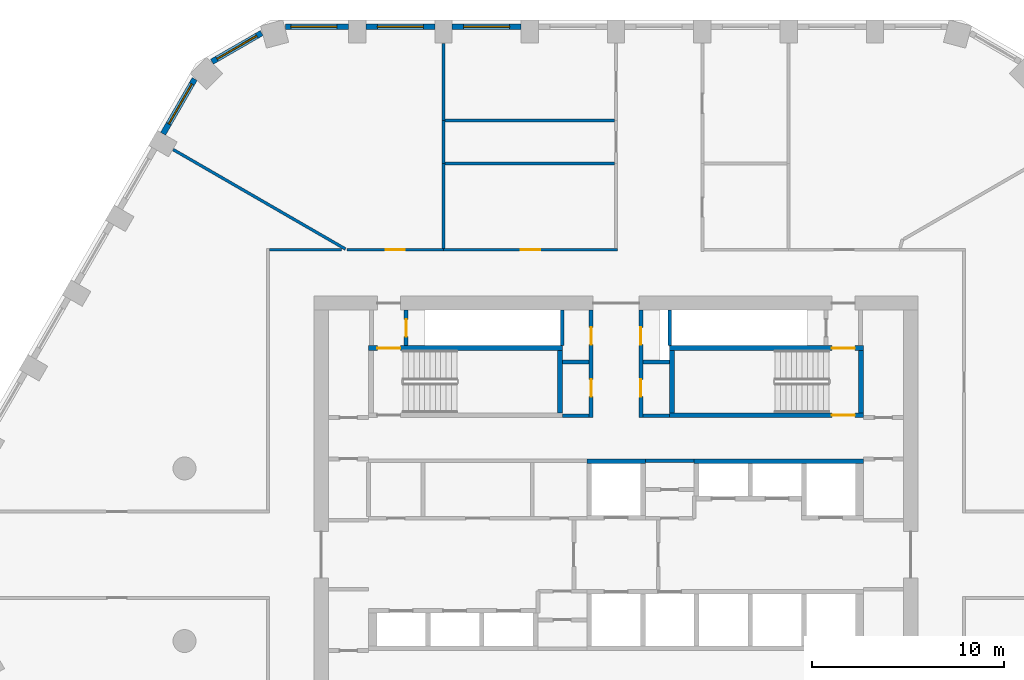
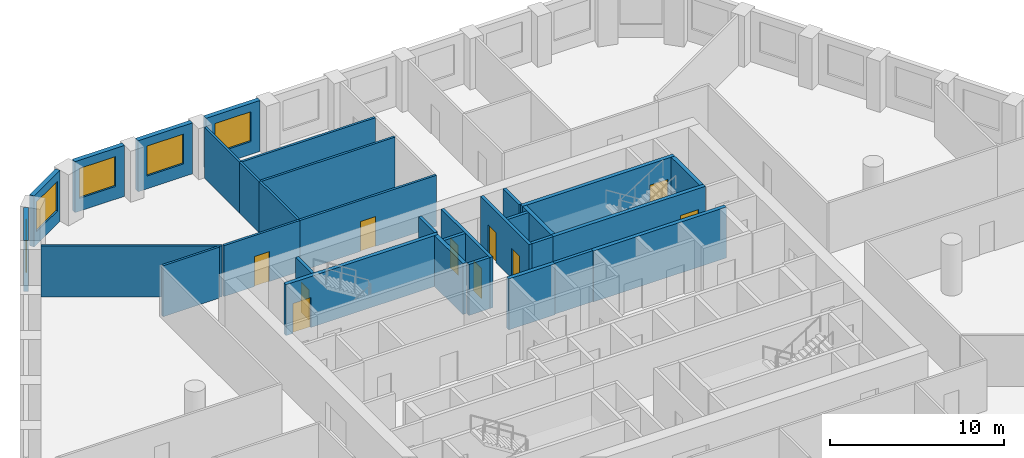
# One storey, part 6 of 9: 32 walls, 10 doors, 5 windows, 15 openings.
"""IFC4 building model written with IfcOpenShell, lengths in metres."""

from ifc_helpers import new_model, si_unit, direction, frame, frame_2d, origin, place, context, subcontext, project, spatial, polyline, rectangle, outline, extrude, material, layer, layer_set, type_object, element, fill, save


model = new_model("IFC4")

# Units and contexts
model_context = context("Model", 3, precision=1e-05, world=origin(), true_north=direction((0.0, 1.0)))
body_context = subcontext(model_context, "Body", "Model", "MODEL_VIEW")
ifc_project = project(units=[si_unit("LENGTHUNIT", "METRE"), si_unit("AREAUNIT", "SQUARE_METRE"), si_unit("VOLUMEUNIT", "CUBIC_METRE"), si_unit("PLANEANGLEUNIT", "RADIAN"), si_unit("MASSUNIT", "GRAM", prefix="KILO")], contexts=[model_context])

# Site, building, storey
site_placement = place(None, origin())
site = spatial("IfcSite", under=ifc_project, at=site_placement, CompositionType="ELEMENT")
building_placement = place(site_placement, origin())
building = spatial("IfcBuilding", under=site, at=building_placement, Name="Dhurran Vertical Campus", CompositionType="ELEMENT")
storey_placement = place(building_placement, frame((0.0, 0.0, 159.89990234375)))
storey = spatial("IfcBuildingStorey", under=building, at=storey_placement, Name="L39", CompositionType="ELEMENT", Elevation=159.89990234375)

# Wall, opening, window
ifc_material_1 = material(Name="Precast concrete C50/60", Category="concrete")
ifc_layer_1 = layer(ifc_material_1, 0.300048828125)
ifc_layer_set_1 = layer_set([ifc_layer_1], Name="Precast concrete C50/60")
wall_type_1 = type_object("IfcWallType", Name="Precast spandrel wall 300", PredefinedType="SOLIDWALL", material=ifc_layer_set_1)
wall_1_placement = place(storey_placement, frame((-4.950439453125, 27.53271484375, 0.0), z_axis=(0.0, 0.0, 1.0), x_axis=(-1.0, 0.0, 0.0)))
wall_1 = element("IfcWall", 1, at=wall_1_placement, inside=storey, type_object=wall_type_1, Name="EW1 L39.28", PredefinedType="SOLIDWALL", context=body_context, shape_type="SweptSolid", body=[
    extrude(rectangle(XDim=3.59912109375, YDim=0.300048828125, at=frame_2d((1.799560546875, 0.0))), origin(), (0.0, 0.0, 1.0), 3.5751953125),
])
opening_1_placement = place(wall_1_placement, frame((0.599609375, 0.0, 0.89990234375)))
opening_1 = element("IfcOpeningElement", 2, at=opening_1_placement, cuts=wall_1, Name="Opening WT1", PredefinedType="OPENING", context=body_context, shape_type="SweptSolid", body=[
    extrude(rectangle(XDim=2.39990234375, YDim=2.10009765625, at=frame_2d((1.199951171875, 1.050048828125))), frame((0.0, 0.159912109375, 0.0), z_axis=(0.0, -1.0, 0.0), x_axis=(1.0, 0.0, 0.0)), (0.0, 0.0, 1.0), 0.320068359375),
])
ifc_material_2 = material(Name="Aluminium frame with solar-control glass", Category="aluminium")
window_type = type_object("IfcWindowType", Name="Punched window 2400 x 2100", PartitioningType="SINGLE_PANEL", PredefinedType="WINDOW", material=ifc_material_2)
window_1_placement = place(opening_1_placement, origin())
window_1 = element("IfcWindow", 3, at=window_1_placement, inside=storey, type_object=window_type, Name="WT1 L39.28", OverallHeight=2.10009765625, OverallWidth=2.39990234375, PartitioningType="SINGLE_PANEL", PredefinedType="WINDOW", context=body_context, shape_type="SweptSolid", body=[
    extrude(rectangle(XDim=2.39990234375, YDim=2.10009765625, at=frame_2d((1.199951171875, 1.050048828125))), frame((0.0, 0.030029296875, 0.0), z_axis=(0.0, -1.0, 0.0), x_axis=(1.0, 0.0, 0.0)), (0.0, 0.0, 1.0), 0.06005859375),
])
fill(opening_1, window_1)

wall_2_placement = place(storey_placement, frame((-9.450439453125, 27.53271484375, 0.0), z_axis=(0.0, 0.0, 1.0), x_axis=(-1.0, 0.0, 0.0)))
wall_2 = element("IfcWall", 4, at=wall_2_placement, inside=storey, type_object=wall_type_1, Name="EW1 L39.29", PredefinedType="SOLIDWALL", context=body_context, shape_type="SweptSolid", body=[
    extrude(rectangle(XDim=3.59912109375, YDim=0.300048828125, at=frame_2d((1.799560546875, 0.0))), origin(), (0.0, 0.0, 1.0), 3.5751953125),
])
opening_2_placement = place(wall_2_placement, frame((0.599609375, 0.0, 0.89990234375)))
opening_2 = element("IfcOpeningElement", 5, at=opening_2_placement, cuts=wall_2, Name="Opening WT1", PredefinedType="OPENING", context=body_context, shape_type="SweptSolid", body=[
    extrude(rectangle(XDim=2.39990234375, YDim=2.10009765625, at=frame_2d((1.199951171875, 1.050048828125))), frame((0.0, 0.159912109375, 0.0), z_axis=(0.0, -1.0, 0.0), x_axis=(1.0, 0.0, 0.0)), (0.0, 0.0, 1.0), 0.320068359375),
])
window_2_placement = place(opening_2_placement, origin())
window_2 = element("IfcWindow", 6, at=window_2_placement, inside=storey, type_object=window_type, Name="WT1 L39.29", OverallHeight=2.10009765625, OverallWidth=2.39990234375, PartitioningType="SINGLE_PANEL", PredefinedType="WINDOW", context=body_context, shape_type="SweptSolid", body=[
    extrude(rectangle(XDim=2.39990234375, YDim=2.10009765625, at=frame_2d((1.199951171875, 1.050048828125))), frame((0.0, 0.030029296875, 0.0), z_axis=(0.0, -1.0, 0.0), x_axis=(1.0, 0.0, 0.0)), (0.0, 0.0, 1.0), 0.06005859375),
])
fill(opening_2, window_2)

wall_3_placement = place(storey_placement, frame((-13.950439453125, 27.53271484375, 0.0), z_axis=(0.0, 0.0, 1.0), x_axis=(-1.0, 0.0, 0.0)))
wall_3 = element("IfcWall", 7, at=wall_3_placement, inside=storey, type_object=wall_type_1, Name="EW1 L39.30", PredefinedType="SOLIDWALL", context=body_context, shape_type="SweptSolid", body=[
    extrude(rectangle(XDim=3.294189453125, YDim=0.300048828125, at=frame_2d((1.64697265625, 0.0))), origin(), (0.0, 0.0, 1.0), 3.5751953125),
])
opening_3_placement = place(wall_3_placement, frame((0.599609375, 0.0, 0.89990234375)))
opening_3 = element("IfcOpeningElement", 8, at=opening_3_placement, cuts=wall_3, Name="Opening WT1", PredefinedType="OPENING", context=body_context, shape_type="SweptSolid", body=[
    extrude(rectangle(XDim=2.39990234375, YDim=2.10009765625, at=frame_2d((1.199951171875, 1.050048828125))), frame((0.0, 0.159912109375, 0.0), z_axis=(0.0, -1.0, 0.0), x_axis=(1.0, 0.0, 0.0)), (0.0, 0.0, 1.0), 0.320068359375),
])
window_3_placement = place(opening_3_placement, origin())
window_3 = element("IfcWindow", 9, at=window_3_placement, inside=storey, type_object=window_type, Name="WT1 L39.30", OverallHeight=2.10009765625, OverallWidth=2.39990234375, PartitioningType="SINGLE_PANEL", PredefinedType="WINDOW", context=body_context, shape_type="SweptSolid", body=[
    extrude(rectangle(XDim=2.39990234375, YDim=2.10009765625, at=frame_2d((1.199951171875, 1.050048828125))), frame((0.0, 0.030029296875, 0.0), z_axis=(0.0, -1.0, 0.0), x_axis=(1.0, 0.0, 0.0)), (0.0, 0.0, 1.0), 0.06005859375),
])
fill(opening_3, window_3)

wall_4_placement = place(storey_placement, frame((-18.479248046875, 27.201904296875, 0.0), z_axis=(0.0, 0.0, 1.0), x_axis=(-0.866012844897, -0.500021752, 0.0)))
wall_4 = element("IfcWall", 10, at=wall_4_placement, inside=storey, type_object=wall_type_1, Name="EW1 L39.31", PredefinedType="SOLIDWALL", context=body_context, shape_type="SweptSolid", body=[
    extrude(rectangle(XDim=2.989013671875, YDim=0.300048828125, at=frame_2d((1.49462890625, 0.0))), origin(), (0.0, 0.0, 1.0), 3.5751953125),
])
opening_4_placement = place(wall_4_placement, frame((0.294677734375, 0.0, 0.89990234375)))
opening_4 = element("IfcOpeningElement", 11, at=opening_4_placement, cuts=wall_4, Name="Opening WT1", PredefinedType="OPENING", context=body_context, shape_type="SweptSolid", body=[
    extrude(rectangle(XDim=2.39990234375, YDim=2.10009765625, at=frame_2d((1.199951171875, 1.050048828125))), frame((0.0, 0.159912109375, 0.0), z_axis=(0.0, -1.0, 0.0), x_axis=(1.0, 0.0, 0.0)), (0.0, 0.0, 1.0), 0.320068359375),
])
window_4_placement = place(opening_4_placement, origin())
window_4 = element("IfcWindow", 12, at=window_4_placement, inside=storey, type_object=window_type, Name="WT1 L39.31", OverallHeight=2.10009765625, OverallWidth=2.39990234375, PartitioningType="SINGLE_PANEL", PredefinedType="WINDOW", context=body_context, shape_type="SweptSolid", body=[
    extrude(rectangle(XDim=2.39990234375, YDim=2.10009765625, at=frame_2d((1.199951171875, 1.050048828125))), frame((0.0, 0.030029296875, 0.0), z_axis=(0.0, -1.0, 0.0), x_axis=(1.0, 0.0, 0.0)), (0.0, 0.0, 1.0), 0.06005859375),
])
fill(opening_4, window_4)

wall_5_placement = place(storey_placement, frame((-21.9716796875, 24.803466796875, 0.0), z_axis=(0.0, 0.0, 1.0), x_axis=(-0.500036802197, -0.866004154983, 0.0)))
wall_5 = element("IfcWall", 13, at=wall_5_placement, inside=storey, type_object=wall_type_1, Name="EW1 L39.32", PredefinedType="SOLIDWALL", context=body_context, shape_type="SweptSolid", body=[
    extrude(rectangle(XDim=3.294189453125, YDim=0.300048828125, at=frame_2d((1.64697265625, 0.0))), origin(), (0.0, 0.0, 1.0), 3.5751953125),
])
opening_5_placement = place(wall_5_placement, frame((0.29443359375, 0.0, 0.89990234375)))
opening_5 = element("IfcOpeningElement", 14, at=opening_5_placement, cuts=wall_5, Name="Opening WT1", PredefinedType="OPENING", context=body_context, shape_type="SweptSolid", body=[
    extrude(rectangle(XDim=2.39990234375, YDim=2.10009765625, at=frame_2d((1.199951171875, 1.050048828125))), frame((0.0, 0.159912109375, 0.0), z_axis=(0.0, -1.0, 0.0), x_axis=(1.0, 0.0, 0.0)), (0.0, 0.0, 1.0), 0.320068359375),
])
window_5_placement = place(opening_5_placement, origin())
window_5 = element("IfcWindow", 15, at=window_5_placement, inside=storey, type_object=window_type, Name="WT1 L39.32", OverallHeight=2.10009765625, OverallWidth=2.39990234375, PartitioningType="SINGLE_PANEL", PredefinedType="WINDOW", context=body_context, shape_type="SweptSolid", body=[
    extrude(rectangle(XDim=2.39990234375, YDim=2.10009765625, at=frame_2d((1.199951171875, 1.050048828125))), frame((0.0, 0.030029296875, 0.0), z_axis=(0.0, -1.0, 0.0), x_axis=(1.0, 0.0, 0.0)), (0.0, 0.0, 1.0), 0.06005859375),
])
fill(opening_5, window_5)

# Walls
ifc_material_3 = material(Name="Fire-rated masonry blockwork", Category="masonry")
ifc_layer_2 = layer(ifc_material_3, 0.199951171875)
ifc_layer_set_2 = layer_set([ifc_layer_2], Name="Fire-rated masonry blockwork")
wall_type_2 = type_object("IfcWallType", Name="co-FIRE-PARTITION-200", PredefinedType="PARTITIONING", material=ifc_layer_set_2)
for number, where, z_axis, x_axis, name in (
    (16, (-2.800048828125, 7.25, 0.0), (0.0, 0.0, 1.0), (1.0, 0.0, 0.0), "Core partition sl-NW-S L39"),
    (17, (-2.800048828125, 10.050048828125, 0.0), (0.0, 0.0, 1.0), (1.0, 0.0, 0.0), "Core partition sl-NW-cut0 L39"),
    (18, (1.39990234375, 7.25, 0.0), (0.0, 0.0, 1.0), (1.0, 0.0, 0.0), "Core partition sl-NE-S L39"),
    (19, (1.39990234375, 10.050048828125, 0.0), (0.0, 0.0, 1.0), (1.0, 0.0, 0.0), "Core partition sl-NE-cut0 L39"),
):
    element("IfcWall", number, at=place(storey_placement, frame(where, z_axis=z_axis, x_axis=x_axis)), inside=storey, type_object=wall_type_2, Name=name, PredefinedType="PARTITIONING", context=body_context, shape_type="SweptSolid", body=[
        extrude(rectangle(XDim=1.400146484375, YDim=0.199951171875, at=frame_2d((0.7001953125, 0.0))), origin(), (0.0, 0.0, 1.0), 3.5751953125),
    ])

# Wall, openings, doors
wall_6_placement = place(storey_placement, frame((-1.300048828125, 7.14990234375, 0.0), z_axis=(0.0, 0.0, 1.0), x_axis=(0.0, 1.0, 0.0)))
wall_6 = element("IfcWall", 20, at=wall_6_placement, inside=storey, type_object=wall_type_2, Name="Core partition vest-NW L39", PredefinedType="PARTITIONING", context=body_context, shape_type="SweptSolid", body=[
    extrude(rectangle(XDim=5.60009765625, YDim=0.199951171875, at=frame_2d((2.800048828125, 0.0))), origin(), (0.0, 0.0, 1.0), 3.5751953125),
])
opening_6_placement = place(wall_6_placement, frame((1.10009765625, 0.0, 0.0)))
opening_6 = element("IfcOpeningElement", 21, at=opening_6_placement, cuts=wall_6, Name="Opening T11-C4", PredefinedType="OPENING", context=body_context, shape_type="SweptSolid", body=[
    extrude(rectangle(XDim=0.89990234375, YDim=2.10009765625, at=frame_2d((0.449951171875, 1.050048828125))), frame((0.0, 0.10986328125, 0.0), z_axis=(0.0, -1.0, 0.0), x_axis=(1.0, 0.0, 0.0)), (0.0, 0.0, 1.0), 0.219970703125),
])
opening_7_placement = place(wall_6_placement, frame((3.800048828125, 0.0, 0.0)))
opening_7 = element("IfcOpeningElement", 22, at=opening_7_placement, cuts=wall_6, Name="Opening T11-C5", PredefinedType="OPENING", context=body_context, shape_type="SweptSolid", body=[
    extrude(rectangle(XDim=0.89990234375, YDim=2.10009765625, at=frame_2d((0.449951171875, 1.050048828125))), frame((0.0, 0.10986328125, 0.0), z_axis=(0.0, -1.0, 0.0), x_axis=(1.0, 0.0, 0.0)), (0.0, 0.0, 1.0), 0.219970703125),
])
ifc_material_4 = material(Name="Fire-rated timber door set", Category="wood")
door_type_1 = type_object("IfcDoorType", Name="co-D-ROOM 900x2100", OperationType="SINGLE_SWING_LEFT", PredefinedType="DOOR", material=ifc_material_4)
door_1_placement = place(opening_6_placement, origin())
door_1 = element("IfcDoor", 23, at=door_1_placement, inside=storey, type_object=door_type_1, Name="Print room door L39", OperationType="SINGLE_SWING_LEFT", OverallHeight=2.10009765625, OverallWidth=0.89990234375, PredefinedType="DOOR", context=body_context, shape_type="SweptSolid", body=[
    extrude(rectangle(XDim=0.89990234375, YDim=2.10009765625, at=frame_2d((0.449951171875, 1.050048828125))), frame((0.0, 0.02490234375, 0.0), z_axis=(0.0, -1.0, 0.0), x_axis=(1.0, 0.0, 0.0)), (0.0, 0.0, 1.0), 0.050048828125),
])
fill(opening_6, door_1)
door_2_placement = place(opening_7_placement, origin())
door_2 = element("IfcDoor", 24, at=door_2_placement, inside=storey, type_object=door_type_1, Name="Fire equipment store door L39", OperationType="SINGLE_SWING_LEFT", OverallHeight=2.10009765625, OverallWidth=0.89990234375, PredefinedType="DOOR", context=body_context, shape_type="SweptSolid", body=[
    extrude(rectangle(XDim=0.89990234375, YDim=2.10009765625, at=frame_2d((0.449951171875, 1.050048828125))), frame((0.0, 0.02490234375, 0.0), z_axis=(0.0, -1.0, 0.0), x_axis=(1.0, 0.0, 0.0)), (0.0, 0.0, 1.0), 0.050048828125),
])
fill(opening_7, door_2)

wall_7_placement = place(storey_placement, frame((1.300048828125, 7.14990234375, 0.0), z_axis=(0.0, 0.0, 1.0), x_axis=(0.0, 1.0, 0.0)))
wall_7 = element("IfcWall", 25, at=wall_7_placement, inside=storey, type_object=wall_type_2, Name="Core partition vest-NE L39", PredefinedType="PARTITIONING", context=body_context, shape_type="SweptSolid", body=[
    extrude(rectangle(XDim=5.60009765625, YDim=0.199951171875, at=frame_2d((2.800048828125, 0.0))), origin(), (0.0, 0.0, 1.0), 3.5751953125),
])
opening_8_placement = place(wall_7_placement, frame((1.10009765625, 0.0, 0.0)))
opening_8 = element("IfcOpeningElement", 26, at=opening_8_placement, cuts=wall_7, Name="Opening T11-C6", PredefinedType="OPENING", context=body_context, shape_type="SweptSolid", body=[
    extrude(rectangle(XDim=0.89990234375, YDim=2.10009765625, at=frame_2d((0.449951171875, 1.050048828125))), frame((0.0, 0.10986328125, 0.0), z_axis=(0.0, -1.0, 0.0), x_axis=(1.0, 0.0, 0.0)), (0.0, 0.0, 1.0), 0.219970703125),
])
opening_9_placement = place(wall_7_placement, frame((3.800048828125, 0.0, 0.0)))
opening_9 = element("IfcOpeningElement", 27, at=opening_9_placement, cuts=wall_7, Name="Opening T11-C7", PredefinedType="OPENING", context=body_context, shape_type="SweptSolid", body=[
    extrude(rectangle(XDim=0.89990234375, YDim=2.10009765625, at=frame_2d((0.449951171875, 1.050048828125))), frame((0.0, 0.10986328125, 0.0), z_axis=(0.0, -1.0, 0.0), x_axis=(1.0, 0.0, 0.0)), (0.0, 0.0, 1.0), 0.219970703125),
])
door_3_placement = place(opening_8_placement, origin())
door_3 = element("IfcDoor", 28, at=door_3_placement, inside=storey, type_object=door_type_1, Name="Pantry door L39", OperationType="SINGLE_SWING_LEFT", OverallHeight=2.10009765625, OverallWidth=0.89990234375, PredefinedType="DOOR", context=body_context, shape_type="SweptSolid", body=[
    extrude(rectangle(XDim=0.89990234375, YDim=2.10009765625, at=frame_2d((0.449951171875, 1.050048828125))), frame((0.0, 0.02490234375, 0.0), z_axis=(0.0, -1.0, 0.0), x_axis=(1.0, 0.0, 0.0)), (0.0, 0.0, 1.0), 0.050048828125),
])
fill(opening_8, door_3)
door_4_placement = place(opening_9_placement, origin())
door_4 = element("IfcDoor", 29, at=door_4_placement, inside=storey, type_object=door_type_1, Name="Water riser door L39", OperationType="SINGLE_SWING_LEFT", OverallHeight=2.10009765625, OverallWidth=0.89990234375, PredefinedType="DOOR", context=body_context, shape_type="SweptSolid", body=[
    extrude(rectangle(XDim=0.89990234375, YDim=2.10009765625, at=frame_2d((0.449951171875, 1.050048828125))), frame((0.0, 0.02490234375, 0.0), z_axis=(0.0, -1.0, 0.0), x_axis=(1.0, 0.0, 0.0)), (0.0, 0.0, 1.0), 0.050048828125),
])
fill(opening_9, door_4)

# Wall, opening, door
wall_8_placement = place(storey_placement, frame((-10.949951171875, 10.89990234375, 0.0), z_axis=(0.0, 0.0, 1.0), x_axis=(0.0, 1.0, 0.0)))
wall_8 = element("IfcWall", 30, at=wall_8_placement, inside=storey, type_object=wall_type_2, Name="Core partition pass-ST1-i L39", PredefinedType="PARTITIONING", context=body_context, shape_type="SweptSolid", body=[
    extrude(rectangle(XDim=1.85009765625, YDim=0.199951171875, at=frame_2d((0.925048828125, 0.0))), origin(), (0.0, 0.0, 1.0), 3.5751953125),
])
opening_10_placement = place(wall_8_placement, frame((0.47509765625, 0.0, 0.0)))
opening_10 = element("IfcOpeningElement", 31, at=opening_10_placement, cuts=wall_8, Name="Opening T11-C8", PredefinedType="OPENING", context=body_context, shape_type="SweptSolid", body=[
    extrude(rectangle(XDim=0.89990234375, YDim=2.10009765625, at=frame_2d((0.449951171875, 1.050048828125))), frame((0.0, 0.10986328125, 0.0), z_axis=(0.0, -1.0, 0.0), x_axis=(1.0, 0.0, 0.0)), (0.0, 0.0, 1.0), 0.219970703125),
])
door_5_placement = place(opening_10_placement, origin())
door_5 = element("IfcDoor", 32, at=door_5_placement, inside=storey, type_object=door_type_1, Name="Riser room door L39", OperationType="SINGLE_SWING_LEFT", OverallHeight=2.10009765625, OverallWidth=0.89990234375, PredefinedType="DOOR", context=body_context, shape_type="SweptSolid", body=[
    extrude(rectangle(XDim=0.89990234375, YDim=2.10009765625, at=frame_2d((0.449951171875, 1.050048828125))), frame((0.0, 0.02490234375, 0.0), z_axis=(0.0, -1.0, 0.0), x_axis=(1.0, 0.0, 0.0)), (0.0, 0.0, 1.0), 0.050048828125),
])
fill(opening_10, door_5)

# Walls
wall_9_placement = place(storey_placement, frame((1.52490234375, 4.89990234375, 0.0), z_axis=(0.0, 0.0, 1.0), x_axis=(1.0, 0.0, 0.0)))
element("IfcWall", 33, at=wall_9_placement, inside=storey, type_object=wall_type_2, Name="Core partition fr-N1-b L39", PredefinedType="PARTITIONING", context=body_context, shape_type="SweptSolid", body=[
    extrude(rectangle(XDim=2.550048828125, YDim=0.199951171875, at=frame_2d((1.27490234375, 0.0))), origin(), (0.0, 0.0, 1.0), 3.5751953125),
])
for number, where, z_axis, x_axis, name in (
    (34, (-2.800048828125, 10.90087890625, 0.0), (0.0, 0.0, 1.0), (0.0, 1.0, 0.0), "Riser enclosure wall L39"),
    (35, (2.800048828125, 10.90087890625, 0.0), (0.0, 0.0, 1.0), (0.0, 1.0, 0.0), "Riser enclosure wall L39"),
):
    element("IfcWall", number, at=place(storey_placement, frame(where, z_axis=z_axis, x_axis=x_axis)), inside=storey, type_object=wall_type_2, Name=name, PredefinedType="PARTITIONING", context=body_context, shape_type="SweptSolid", body=[
        extrude(rectangle(XDim=1.84814453125, YDim=0.199951171875, at=frame_2d((0.924072265625, 0.0))), origin(), (0.0, 0.0, 1.0), 3.5751953125),
    ])
ifc_material_5 = material(Name="Concrete C50/60", Category="concrete")
ifc_layer_3 = layer(ifc_material_5, 0.25)
ifc_layer_set_3 = layer_set([ifc_layer_3], Name="Concrete C50/60")
wall_type_3 = type_object("IfcWallType", Name="co-SHAFT-MASS-250", PredefinedType="SHEAR", material=ifc_layer_set_3)
wall_10_placement = place(storey_placement, origin())
element("IfcWall", 36, at=wall_10_placement, inside=storey, type_object=wall_type_3, Name="Lift shaft wall N L39 1", PredefinedType="SHEAR", context=body_context, shape_type="SweptSolid", body=[
    extrude(outline(polyline([(-1.52490234375, 4.75), (1.52490234375, 4.75), (1.52490234375, 5.0), (-1.52490234375, 5.0), (-1.52490234375, 4.75)])), origin(), (0.0, 0.0, 1.0), 3.5751953125),
])
wall_11_placement = place(storey_placement, origin())
element("IfcWall", 37, at=wall_11_placement, inside=storey, type_object=wall_type_3, Name="Lift shaft wall N L39 2", PredefinedType="SHEAR", context=body_context, shape_type="SweptSolid", body=[
    extrude(outline(polyline([(4.074951171875, 4.75), (12.89990234375, 4.75), (12.89990234375, 5.0), (4.074951171875, 5.0), (4.074951171875, 4.75)])), origin(), (0.0, 0.0, 1.0), 3.5751953125),
])

# Wall, opening, door
ifc_material_6 = material(Name="Concrete C40/50", Category="concrete")
ifc_layer_4 = layer(ifc_material_6, 0.25)
ifc_layer_set_4 = layer_set([ifc_layer_4], Name="Concrete C40/50")
wall_type_4 = type_object("IfcWallType", Name="co-STAIR-WALL-250", PredefinedType="SHEAR", material=ifc_layer_set_4)
wall_12_placement = place(storey_placement, frame((-12.89990234375, 10.77490234375, 0.0), z_axis=(0.0, 0.0, 1.0), x_axis=(1.0, 0.0, 0.0)))
wall_12 = element("IfcWall", 38, at=wall_12_placement, inside=storey, type_object=wall_type_4, Name="Stair ST1 enclosure wall L39", PredefinedType="SHEAR", context=body_context, shape_type="SweptSolid", body=[
    extrude(rectangle(XDim=10.099853515625, YDim=0.25, at=frame_2d((5.0498046875, 0.0))), origin(), (0.0, 0.0, 1.0), 3.5751953125),
])
opening_11_placement = place(wall_12_placement, frame((0.449951171875, 0.0, 0.0)))
opening_11 = element("IfcOpeningElement", 39, at=opening_11_placement, cuts=wall_12, Name="Opening XS1", PredefinedType="OPENING", context=body_context, shape_type="SweptSolid", body=[
    extrude(rectangle(XDim=1.199951171875, YDim=2.10009765625, at=frame_2d((0.60009765625, 1.050048828125))), frame((0.0, 0.135009765625, 0.0), z_axis=(0.0, -1.0, 0.0), x_axis=(1.0, 0.0, 0.0)), (0.0, 0.0, 1.0), 0.27001953125),
])
ifc_material_7 = material(Name="Fire-rated steel door set", Category="steel")
door_type_2 = type_object("IfcDoorType", Name="co-D-STAIR-EXIT 1200x2100", OperationType="SINGLE_SWING_RIGHT", PredefinedType="DOOR", material=ifc_material_7)
door_6_placement = place(opening_11_placement, origin())
door_6 = element("IfcDoor", 40, at=door_6_placement, inside=storey, type_object=door_type_2, Name="Stair ST1 discharge door L39", OperationType="SINGLE_SWING_RIGHT", OverallHeight=2.10009765625, OverallWidth=1.199951171875, PredefinedType="DOOR", context=body_context, shape_type="SweptSolid", body=[
    extrude(rectangle(XDim=1.199951171875, YDim=2.10009765625, at=frame_2d((0.60009765625, 1.050048828125))), frame((0.0, 0.02490234375, 0.0), z_axis=(0.0, -1.0, 0.0), x_axis=(1.0, 0.0, 0.0)), (0.0, 0.0, 1.0), 0.050048828125),
])
fill(opening_11, door_6)

# Wall
wall_13_placement = place(storey_placement, frame((-2.925048828125, 7.39990234375, 0.0), z_axis=(0.0, 0.0, 1.0), x_axis=(0.0, 1.0, 0.0)))
element("IfcWall", 41, at=wall_13_placement, inside=storey, type_object=wall_type_4, Name="Stair ST1 enclosure wall L39", PredefinedType="SHEAR", context=body_context, shape_type="SweptSolid", body=[
    extrude(rectangle(XDim=3.25, YDim=0.25, at=frame_2d((1.625, 0.0))), origin(), (0.0, 0.0, 1.0), 3.5751953125),
])

# Wall, opening, door
wall_14_placement = place(storey_placement, frame((2.800048828125, 7.27490234375, 0.0), z_axis=(0.0, 0.0, 1.0), x_axis=(1.0, 0.0, 0.0)))
wall_14 = element("IfcWall", 42, at=wall_14_placement, inside=storey, type_object=wall_type_4, Name="Stair ST2 enclosure wall L39", PredefinedType="SHEAR", context=body_context, shape_type="SweptSolid", body=[
    extrude(rectangle(XDim=10.099853515625, YDim=0.25, at=frame_2d((5.0498046875, 0.0))), origin(), (0.0, 0.0, 1.0), 3.5751953125),
])
opening_12_placement = place(wall_14_placement, frame((8.449951171875, 0.0, 0.0)))
opening_12 = element("IfcOpeningElement", 43, at=opening_12_placement, cuts=wall_14, Name="Opening SD2", PredefinedType="OPENING", context=body_context, shape_type="SweptSolid", body=[
    extrude(rectangle(XDim=1.199951171875, YDim=2.10009765625, at=frame_2d((0.60009765625, 1.050048828125))), frame((0.0, 0.135009765625, 0.0), z_axis=(0.0, -1.0, 0.0), x_axis=(1.0, 0.0, 0.0)), (0.0, 0.0, 1.0), 0.27001953125),
])
ifc_material_8 = material(Name="Fire-rated steel door set", Category="steel")
door_type_3 = type_object("IfcDoorType", Name="co-D-STAIR 1200x2100", OperationType="SINGLE_SWING_LEFT", PredefinedType="DOOR", material=ifc_material_8)
door_7_placement = place(opening_12_placement, origin())
door_7 = element("IfcDoor", 44, at=door_7_placement, inside=storey, type_object=door_type_3, Name="Stair ST2 door L39", OperationType="SINGLE_SWING_LEFT", OverallHeight=2.10009765625, OverallWidth=1.199951171875, PredefinedType="DOOR", context=body_context, shape_type="SweptSolid", body=[
    extrude(rectangle(XDim=1.199951171875, YDim=2.10009765625, at=frame_2d((0.60009765625, 1.050048828125))), frame((0.0, 0.02490234375, 0.0), z_axis=(0.0, -1.0, 0.0), x_axis=(1.0, 0.0, 0.0)), (0.0, 0.0, 1.0), 0.050048828125),
])
fill(opening_12, door_7)

wall_15_placement = place(storey_placement, frame((2.800048828125, 10.77490234375, 0.0), z_axis=(0.0, 0.0, 1.0), x_axis=(1.0, 0.0, 0.0)))
wall_15 = element("IfcWall", 45, at=wall_15_placement, inside=storey, type_object=wall_type_4, Name="Stair ST2 enclosure wall L39", PredefinedType="SHEAR", context=body_context, shape_type="SweptSolid", body=[
    extrude(rectangle(XDim=10.099853515625, YDim=0.25, at=frame_2d((5.0498046875, 0.0))), origin(), (0.0, 0.0, 1.0), 3.5751953125),
])
opening_13_placement = place(wall_15_placement, frame((8.449951171875, 0.0, 0.0)))
opening_13 = element("IfcOpeningElement", 46, at=opening_13_placement, cuts=wall_15, Name="Opening XS2", PredefinedType="OPENING", context=body_context, shape_type="SweptSolid", body=[
    extrude(rectangle(XDim=1.199951171875, YDim=2.10009765625, at=frame_2d((0.60009765625, 1.050048828125))), frame((0.0, 0.135009765625, 0.0), z_axis=(0.0, -1.0, 0.0), x_axis=(1.0, 0.0, 0.0)), (0.0, 0.0, 1.0), 0.27001953125),
])
door_8_placement = place(opening_13_placement, origin())
door_8 = element("IfcDoor", 47, at=door_8_placement, inside=storey, type_object=door_type_2, Name="Stair ST2 discharge door L39", OperationType="SINGLE_SWING_RIGHT", OverallHeight=2.10009765625, OverallWidth=1.199951171875, PredefinedType="DOOR", context=body_context, shape_type="SweptSolid", body=[
    extrude(rectangle(XDim=1.199951171875, YDim=2.10009765625, at=frame_2d((0.60009765625, 1.050048828125))), frame((0.0, 0.02490234375, 0.0), z_axis=(0.0, -1.0, 0.0), x_axis=(1.0, 0.0, 0.0)), (0.0, 0.0, 1.0), 0.050048828125),
])
fill(opening_13, door_8)

# Walls
for number, where, z_axis, x_axis, name in (
    (48, (2.925048828125, 7.39990234375, 0.0), (0.0, 0.0, 1.0), (0.0, 1.0, 0.0), "Stair ST2 enclosure wall L39"),
    (49, (12.77490234375, 7.39990234375, 0.0), (0.0, 0.0, 1.0), (0.0, 1.0, 0.0), "Stair ST2 enclosure wall L39"),
):
    element("IfcWall", number, at=place(storey_placement, frame(where, z_axis=z_axis, x_axis=x_axis)), inside=storey, type_object=wall_type_4, Name=name, PredefinedType="SHEAR", context=body_context, shape_type="SweptSolid", body=[
        extrude(rectangle(XDim=3.25, YDim=0.25, at=frame_2d((1.625, 0.0))), origin(), (0.0, 0.0, 1.0), 3.5751953125),
    ])
ifc_material_9 = material(Name="Gypsum board corridor wall on steel studs", Category="steel")
ifc_layer_5 = layer(ifc_material_9, 0.14990234375)
ifc_layer_set_5 = layer_set([ifc_layer_5], Name="Gypsum board corridor wall on steel studs")
wall_type_5 = type_object("IfcWallType", Name="fl-CW-150 corridor wall", PredefinedType="PARTITIONING", material=ifc_layer_set_5)
wall_16_placement = place(storey_placement, frame((-14.31494140625, 15.89990234375, 0.0), z_axis=(0.0, 0.0, 1.0), x_axis=(-1.0, 0.0, 0.0)))
element("IfcWall", 50, at=wall_16_placement, inside=storey, type_object=wall_type_5, Name="Partition 39-10", PredefinedType="PARTITIONING", context=body_context, shape_type="SweptSolid", body=[
    extrude(rectangle(XDim=3.760009765625, YDim=0.14990234375, at=frame_2d((1.8798828125, 0.0))), origin(), (0.0, 0.0, 1.0), 3.5751953125),
])

# Wall, opening, door
wall_17_placement = place(storey_placement, frame((-9.0, 15.89990234375, 0.0), z_axis=(0.0, 0.0, 1.0), x_axis=(-1.0, 0.0, 0.0)))
wall_17 = element("IfcWall", 51, at=wall_17_placement, inside=storey, type_object=wall_type_5, Name="Partition 39-11", PredefinedType="PARTITIONING", context=body_context, shape_type="SweptSolid", body=[
    extrude(rectangle(XDim=5.0400390625, YDim=0.14990234375, at=frame_2d((2.52001953125, 0.0))), origin(), (0.0, 0.0, 1.0), 3.5751953125),
])
opening_14_placement = place(wall_17_placement, frame((2.02001953125, 0.0, 0.0)))
opening_14 = element("IfcOpeningElement", 52, at=opening_14_placement, cuts=wall_17, Name="Opening T11.04", PredefinedType="OPENING", context=body_context, shape_type="SweptSolid", body=[
    extrude(rectangle(XDim=1.0, YDim=2.10009765625, at=frame_2d((0.5, 1.050048828125))), frame((0.0, 0.0849609375, 0.0), z_axis=(0.0, -1.0, 0.0), x_axis=(1.0, 0.0, 0.0)), (0.0, 0.0, 1.0), 0.169921875),
])
ifc_material_10 = material(Name="Solid-core timber door set, fire-rated", Category="wood")
door_type_4 = type_object("IfcDoorType", Name="fl-D-1000x2100", OperationType="SINGLE_SWING_LEFT", PredefinedType="DOOR", material=ifc_material_10)
door_9_placement = place(opening_14_placement, origin())
door_9 = element("IfcDoor", 53, at=door_9_placement, inside=storey, type_object=door_type_4, Name="Door 39.04", OperationType="SINGLE_SWING_LEFT", OverallHeight=2.10009765625, OverallWidth=1.0, PredefinedType="DOOR", context=body_context, shape_type="SweptSolid", body=[
    extrude(rectangle(XDim=1.0, YDim=2.10009765625, at=frame_2d((0.5, 1.050048828125))), frame((0.0, 0.02490234375, 0.0), z_axis=(0.0, -1.0, 0.0), x_axis=(1.0, 0.0, 0.0)), (0.0, 0.0, 1.0), 0.050048828125),
])
fill(opening_14, door_9)

wall_18_placement = place(storey_placement, frame((0.074951171875, 15.89990234375, 0.0), z_axis=(0.0, 0.0, 1.0), x_axis=(-1.0, 0.0, 0.0)))
wall_18 = element("IfcWall", 54, at=wall_18_placement, inside=storey, type_object=wall_type_5, Name="Partition 39-16", PredefinedType="PARTITIONING", context=body_context, shape_type="SweptSolid", body=[
    extrude(rectangle(XDim=9.074951171875, YDim=0.14990234375, at=frame_2d((4.53759765625, 0.0))), origin(), (0.0, 0.0, 1.0), 3.5751953125),
])
opening_15_placement = place(wall_18_placement, frame((4.03759765625, 0.0, 0.0)))
opening_15 = element("IfcOpeningElement", 55, at=opening_15_placement, cuts=wall_18, Name="Opening T11.06", PredefinedType="OPENING", context=body_context, shape_type="SweptSolid", body=[
    extrude(rectangle(XDim=1.0, YDim=2.10009765625, at=frame_2d((0.5, 1.050048828125))), frame((0.0, 0.0849609375, 0.0), z_axis=(0.0, -1.0, 0.0), x_axis=(1.0, 0.0, 0.0)), (0.0, 0.0, 1.0), 0.169921875),
])
door_10_placement = place(opening_15_placement, origin())
door_10 = element("IfcDoor", 56, at=door_10_placement, inside=storey, type_object=door_type_4, Name="Door 39.06", OperationType="SINGLE_SWING_RIGHT", OverallHeight=2.10009765625, OverallWidth=1.0, PredefinedType="DOOR", context=body_context, shape_type="SweptSolid", body=[
    extrude(rectangle(XDim=1.0, YDim=2.10009765625, at=frame_2d((0.5, 1.050048828125))), frame((0.0, 0.02490234375, 0.0), z_axis=(0.0, -1.0, 0.0), x_axis=(1.0, 0.0, 0.0)), (0.0, 0.0, 1.0), 0.050048828125),
])
fill(opening_15, door_10)

# Walls
ifc_material_11 = material(Name="Folding acoustic partition panels")
ifc_layer_6 = layer(ifc_material_11, 0.14990234375)
ifc_layer_set_6 = layer_set([ifc_layer_6], Name="Folding acoustic partition panels")
wall_type_6 = type_object("IfcWallType", Name="fl-MW-150 movable partition", PredefinedType="MOVABLE", material=ifc_layer_set_6)
wall_19_placement = place(storey_placement, frame((-9.0, 26.66259765625, 0.0), z_axis=(0.0, 0.0, 1.0), x_axis=(0.0, -1.0, 0.0)))
element("IfcWall", 57, at=wall_19_placement, inside=storey, type_object=wall_type_6, Name="Partition 39-19", PredefinedType="MOVABLE", context=body_context, shape_type="SweptSolid", body=[
    extrude(rectangle(XDim=4.0126953125, YDim=0.14990234375, at=frame_2d((2.00634765625, 0.0))), origin(), (0.0, 0.0, 1.0), 3.5751953125),
])
ifc_material_12 = material(Name="Gypsum board partition on steel studs", Category="steel")
ifc_layer_7 = layer(ifc_material_12, 0.14990234375)
ifc_layer_set_7 = layer_set([ifc_layer_7], Name="Gypsum board partition on steel studs")
wall_type_7 = type_object("IfcWallType", Name="fl-PW-150 fixed partition", PredefinedType="PARTITIONING", material=ifc_layer_set_7)
wall_20_placement = place(storey_placement, frame((-23.09033203125, 21.1259765625, 0.0), z_axis=(0.0, 0.0, 1.0), x_axis=(0.86599279096, -0.500056482814, 0.0)))
element("IfcWall", 58, at=wall_20_placement, inside=storey, type_object=wall_type_7, Name="Partition 39-04", PredefinedType="PARTITIONING", context=body_context, shape_type="SweptSolid", body=[
    extrude(rectangle(XDim=10.375732421875, YDim=0.14990234375, at=frame_2d((5.18798828125, 0.0))), origin(), (0.0, 0.0, 1.0), 3.5751953125),
])
wall_21_placement = place(storey_placement, frame((-9.0, 20.39990234375, 0.0), z_axis=(0.0, 0.0, 1.0), x_axis=(0.0, -1.0, 0.0)))
element("IfcWall", 59, at=wall_21_placement, inside=storey, type_object=wall_type_7, Name="Partition 39-15", PredefinedType="PARTITIONING", context=body_context, shape_type="SweptSolid", body=[
    extrude(rectangle(XDim=4.4248046875, YDim=0.14990234375, at=frame_2d((2.21240234375, 0.0))), origin(), (0.0, 0.0, 1.0), 3.5751953125),
])
wall_22_placement = place(storey_placement, frame((-9.0, 22.64990234375, 0.0), z_axis=(0.0, 0.0, 1.0), x_axis=(0.0, -1.0, 0.0)))
element("IfcWall", 60, at=wall_22_placement, inside=storey, type_object=wall_type_7, Name="Partition 39-17", PredefinedType="PARTITIONING", context=body_context, shape_type="SweptSolid", body=[
    extrude(rectangle(XDim=2.25, YDim=0.14990234375, at=frame_2d((1.125, 0.0))), origin(), (0.0, 0.0, 1.0), 3.5751953125),
])
for number, where, z_axis, x_axis, name in (
    (61, (-8.925048828125, 20.39990234375, 0.0), (0.0, 0.0, 1.0), (1.0, 0.0, 0.0), "Partition 39-18"),
    (62, (-8.925048828125, 22.64990234375, 0.0), (0.0, 0.0, 1.0), (1.0, 0.0, 0.0), "Partition 39-20"),
):
    element("IfcWall", number, at=place(storey_placement, frame(where, z_axis=z_axis, x_axis=x_axis)), inside=storey, type_object=wall_type_7, Name=name, PredefinedType="PARTITIONING", context=body_context, shape_type="SweptSolid", body=[
        extrude(rectangle(XDim=8.85009765625, YDim=0.14990234375, at=frame_2d((4.425048828125, 0.0))), origin(), (0.0, 0.0, 1.0), 3.5751953125),
    ])

save(model, "model.ifc")
